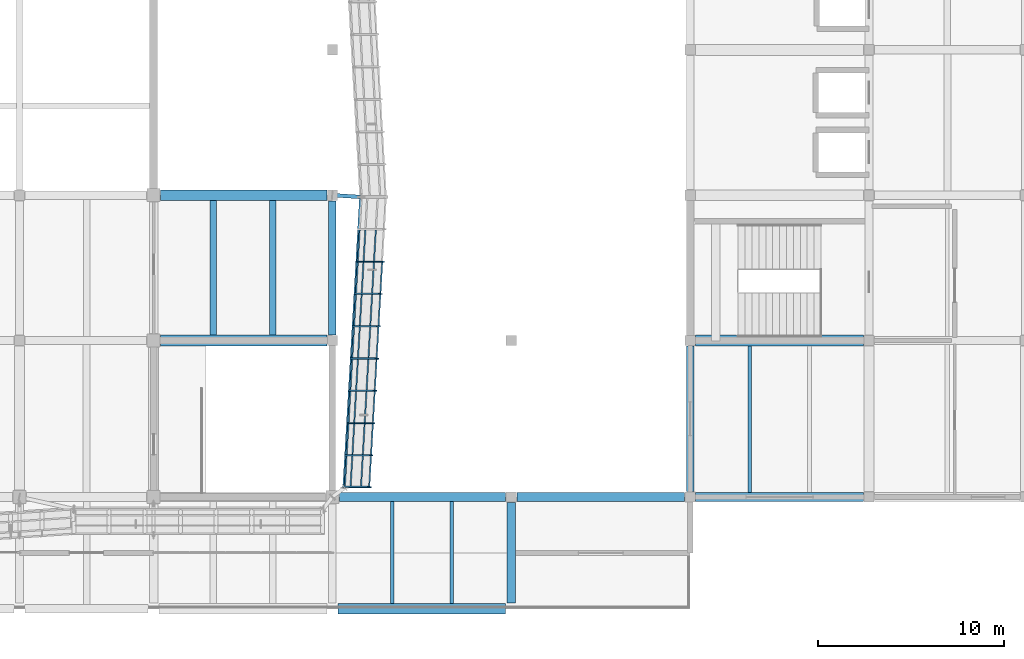
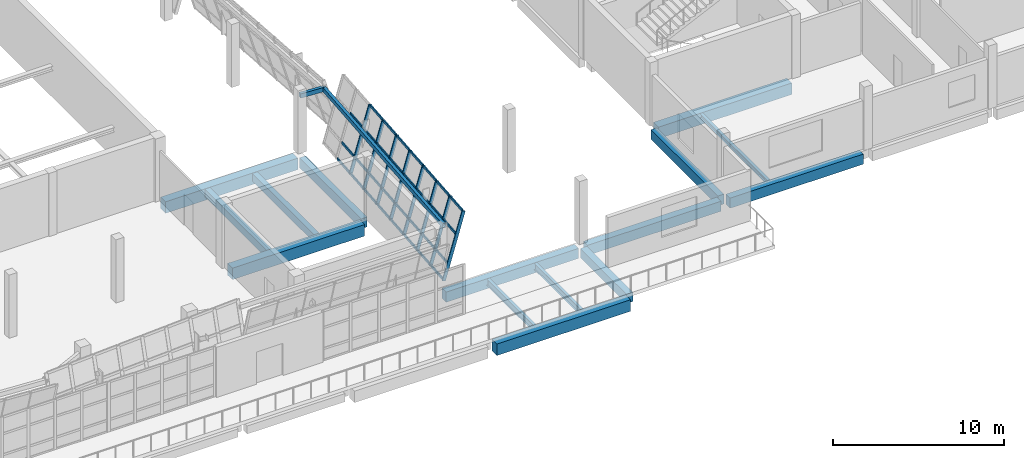
# One storey, part 18 of 67: 39 members, 17 beams, 1 element without a shape of its own.
"""IFC4 building model written with IfcOpenShell, lengths in metres."""

from ifc_helpers import new_model, si_unit, direction, frame, origin, origin_2d, place, context, subcontext, project, spatial, rectangle, hollow_rectangle, i_section, extrude, material, material_profile, profile_set, type_object, element, aggregate, save


model = new_model("IFC4")

# Units and contexts
model_context = context("Model", 3, precision=1e-05, world=origin(), true_north=direction((0.0, 1.0)))
body_context = subcontext(model_context, "Body", "Model", "MODEL_VIEW")
ifc_project = project(units=[si_unit("LENGTHUNIT", "METRE"), si_unit("AREAUNIT", "SQUARE_METRE"), si_unit("VOLUMEUNIT", "CUBIC_METRE"), si_unit("PLANEANGLEUNIT", "RADIAN"), si_unit("MASSUNIT", "GRAM", prefix="KILO")], contexts=[model_context])

# Site, building, storey
site_placement = place(None, origin())
site = spatial("IfcSite", under=ifc_project, at=site_placement, CompositionType="ELEMENT")
building_placement = place(site_placement, origin())
building = spatial("IfcBuilding", under=site, at=building_placement, Name="Pellamere Symphony Hall", CompositionType="ELEMENT")
storey_placement = place(building_placement, frame((0.0, 0.0, 19.5)))
storey = spatial("IfcBuildingStorey", under=building, at=storey_placement, Name="L04", CompositionType="ELEMENT", Elevation=19.5)

# Curtain wall, members
ifc_material_1 = material(Name="Thermally Broken Anodised Aluminium 6063-T6 Curtain Wall", Category="aluminium")
curtain_wall_type = type_object("IfcCurtainWallType", Name="Curtain Wall CW-01 (Tilted Faceted Crystal Low-Iron Curtain Wall)", PredefinedType="NOTDEFINED", material=ifc_material_1)
curtain_wall_placement = place(storey_placement, origin())
curtain_wall = element("IfcCurtainWall", 1, at=curtain_wall_placement, inside=storey, type_object=curtain_wall_type, Name="Crystal Faceted Curtain Wall CW-CR06 (L04)", PredefinedType="NOTDEFINED")
ifc_material_2 = material(Name="Anodised Architectural Aluminium 6063-T6", Category="aluminium")
ifc_material_profile_1 = material_profile(ifc_material_2, hollow_rectangle(XDim=0.074951171875, YDim=0.219970703125, WallThickness=0.0048828125, at=origin_2d()), Name="ALU-M75X220X5")
ifc_profile_set_1 = profile_set([ifc_material_profile_1], Name="Anodised Architectural Aluminium 6063-T6")
member_type_1 = type_object("IfcMemberType", Name="Curtain Wall Mullion ML-01 ALU-M75X220X5", PredefinedType="MULLION", material=ifc_profile_set_1)
member_1_placement = place(storey_placement, frame((119.4521484375, 30.537353515625, 0.0), z_axis=(0.284024567884, 0.0, 0.95881700279), x_axis=(-0.055224537145, -0.998339941676, 0.01635883099)))
member_1 = element("IfcMember", 2, at=member_1_placement, type_object=member_type_1, Name="CW1-008 crystal mullion 1", PredefinedType="MULLION", context=body_context, shape_type="SweptSolid", body=[
    extrude(hollow_rectangle(XDim=0.074951171875, YDim=0.219970703125, WallThickness=0.0048828125, at=origin_2d()), origin(), (0.0, 0.0, 1.0), 4.693359375),
])
member_2_placement = place(storey_placement, frame((119.550048828125, 32.2333984375, 0.0), z_axis=(0.284024567884, 0.0, 0.95881700279), x_axis=(-0.055224537145, -0.998339941676, 0.01635883099)))
member_2 = element("IfcMember", 3, at=member_2_placement, type_object=member_type_1, Name="CW1-008 crystal mullion 2", PredefinedType="MULLION", context=body_context, shape_type="SweptSolid", body=[
    extrude(hollow_rectangle(XDim=0.074951171875, YDim=0.219970703125, WallThickness=0.0048828125, at=origin_2d()), origin(), (0.0, 0.0, 1.0), 4.693359375),
])
member_3_placement = place(storey_placement, frame((119.64990234375, 33.966552734375, 0.0), z_axis=(0.284024567884, 0.0, 0.95881700279), x_axis=(-0.055224537145, -0.998339941676, 0.01635883099)))
member_3 = element("IfcMember", 4, at=member_3_placement, type_object=member_type_1, Name="CW1-008 crystal mullion 3", PredefinedType="MULLION", context=body_context, shape_type="SweptSolid", body=[
    extrude(hollow_rectangle(XDim=0.074951171875, YDim=0.219970703125, WallThickness=0.0048828125, at=origin_2d()), origin(), (0.0, 0.0, 1.0), 4.693359375),
])
member_4_placement = place(storey_placement, frame((119.75, 35.699951171875, 0.0), z_axis=(0.284024567884, 0.0, 0.95881700279), x_axis=(-0.055224537145, -0.998339941676, 0.01635883099)))
member_4 = element("IfcMember", 5, at=member_4_placement, type_object=member_type_1, Name="CW1-008 crystal mullion 4", PredefinedType="MULLION", context=body_context, shape_type="SweptSolid", body=[
    extrude(hollow_rectangle(XDim=0.074951171875, YDim=0.219970703125, WallThickness=0.0048828125, at=origin_2d()), origin(), (0.0, 0.0, 1.0), 4.693359375),
])
member_5_placement = place(storey_placement, frame((119.85009765625, 37.433349609375, 0.0), z_axis=(0.284024567884, 0.0, 0.95881700279), x_axis=(-0.055224537145, -0.998339941676, 0.01635883099)))
member_5 = element("IfcMember", 6, at=member_5_placement, type_object=member_type_1, Name="CW1-008 crystal mullion 5", PredefinedType="MULLION", context=body_context, shape_type="SweptSolid", body=[
    extrude(hollow_rectangle(XDim=0.074951171875, YDim=0.219970703125, WallThickness=0.0048828125, at=origin_2d()), origin(), (0.0, 0.0, 1.0), 4.693359375),
])
member_6_placement = place(storey_placement, frame((119.949951171875, 39.166748046875, 0.0), z_axis=(0.284024567884, 0.0, 0.95881700279), x_axis=(-0.055224537145, -0.998339941676, 0.01635883099)))
member_6 = element("IfcMember", 7, at=member_6_placement, type_object=member_type_1, Name="CW1-008 crystal mullion 6", PredefinedType="MULLION", context=body_context, shape_type="SweptSolid", body=[
    extrude(hollow_rectangle(XDim=0.074951171875, YDim=0.219970703125, WallThickness=0.0048828125, at=origin_2d()), origin(), (0.0, 0.0, 1.0), 4.693359375),
])
member_7_placement = place(storey_placement, frame((120.050048828125, 40.89990234375, 0.0), z_axis=(0.284024567884, 0.0, 0.95881700279), x_axis=(-0.055224537145, -0.998339941676, 0.01635883099)))
member_7 = element("IfcMember", 8, at=member_7_placement, type_object=member_type_1, Name="CW1-008 crystal mullion 7", PredefinedType="MULLION", context=body_context, shape_type="SweptSolid", body=[
    extrude(hollow_rectangle(XDim=0.074951171875, YDim=0.219970703125, WallThickness=0.0048828125, at=origin_2d()), origin(), (0.0, 0.0, 1.0), 4.693359375),
])
member_8_placement = place(storey_placement, frame((120.14990234375, 42.63330078125, 0.0), z_axis=(0.284024567884, 0.0, 0.95881700279), x_axis=(-0.055224537145, -0.998339941676, 0.01635883099)))
member_8 = element("IfcMember", 9, at=member_8_placement, type_object=member_type_1, Name="CW1-008 crystal mullion 8", PredefinedType="MULLION", context=body_context, shape_type="SweptSolid", body=[
    extrude(hollow_rectangle(XDim=0.074951171875, YDim=0.219970703125, WallThickness=0.0048828125, at=origin_2d()), origin(), (0.0, 0.0, 1.0), 4.693359375),
])
ifc_material_profile_2 = material_profile(ifc_material_2, hollow_rectangle(XDim=0.074951171875, YDim=0.179931640625, WallThickness=0.0048828125, at=origin_2d()), Name="ALU-T75X180X5")
ifc_profile_set_2 = profile_set([ifc_material_profile_2], Name="Anodised Architectural Aluminium 6063-T6")
member_type_2 = type_object("IfcMemberType", Name="Curtain Wall Transom TR-01 ALU-T75X180X5", PredefinedType="USERDEFINED", material=ifc_profile_set_2)
member_9_placement = place(storey_placement, frame((119.465087890625, 30.574951171875, 0.035888671875), z_axis=(0.057593652861, 0.998340107954, 0.0), x_axis=(-0.998340107954, 0.057593652861, 0.0)))
member_9 = element("IfcMember", 10, at=member_9_placement, type_object=member_type_2, Name="CW1-008 crystal transom 1.1", ObjectType="TRANSOM", PredefinedType="USERDEFINED", context=body_context, shape_type="SweptSolid", body=[
    extrude(hollow_rectangle(XDim=0.074951171875, YDim=0.179931640625, WallThickness=0.0048828125, at=origin_2d()), origin(), (0.0, 0.0, 1.0), 1.62353515625),
])
member_10_placement = place(storey_placement, frame((119.774169921875, 30.574951171875, 1.080078125), z_axis=(0.057593652861, 0.998340107954, 0.0), x_axis=(-0.998340107954, 0.057593652861, 0.0)))
member_10 = element("IfcMember", 11, at=member_10_placement, type_object=member_type_2, Name="CW1-008 crystal transom 1.2", ObjectType="TRANSOM", PredefinedType="USERDEFINED", context=body_context, shape_type="SweptSolid", body=[
    extrude(hollow_rectangle(XDim=0.074951171875, YDim=0.179931640625, WallThickness=0.0048828125, at=origin_2d()), origin(), (0.0, 0.0, 1.0), 1.62353515625),
])
member_11_placement = place(storey_placement, frame((120.333984375, 30.574951171875, 2.969970703125), z_axis=(0.057743527187, 0.998331450505, 0.0), x_axis=(-0.998331450505, 0.057743527187, 0.0)))
member_11 = element("IfcMember", 12, at=member_11_placement, type_object=member_type_2, Name="CW1-008 crystal transom 1.3", ObjectType="TRANSOM", PredefinedType="USERDEFINED", context=body_context, shape_type="SweptSolid", body=[
    extrude(hollow_rectangle(XDim=0.074951171875, YDim=0.179931640625, WallThickness=0.0048828125, at=origin_2d()), origin(), (0.0, 0.0, 1.0), 1.62353515625),
])
member_12_placement = place(storey_placement, frame((120.776611328125, 30.574951171875, 4.464111328125), z_axis=(0.057593652861, 0.998340107954, 0.0), x_axis=(-0.998340107954, 0.057593652861, 0.0)))
member_12 = element("IfcMember", 13, at=member_12_placement, type_object=member_type_2, Name="CW1-008 crystal transom 1.4", ObjectType="TRANSOM", PredefinedType="USERDEFINED", context=body_context, shape_type="SweptSolid", body=[
    extrude(hollow_rectangle(XDim=0.074951171875, YDim=0.179931640625, WallThickness=0.0048828125, at=origin_2d()), origin(), (0.0, 0.0, 1.0), 1.62353515625),
])
member_13_placement = place(storey_placement, frame((119.562744140625, 32.270751953125, 0.035888671875), z_axis=(0.057610619545, 0.998339129012, 0.0), x_axis=(-0.998339129012, 0.057610619545, 0.0)))
member_13 = element("IfcMember", 14, at=member_13_placement, type_object=member_type_2, Name="CW1-008 crystal transom 2.1", ObjectType="TRANSOM", PredefinedType="USERDEFINED", context=body_context, shape_type="SweptSolid", body=[
    extrude(hollow_rectangle(XDim=0.074951171875, YDim=0.179931640625, WallThickness=0.0048828125, at=origin_2d()), origin(), (0.0, 0.0, 1.0), 1.6611328125),
])
member_14_placement = place(storey_placement, frame((119.8720703125, 32.270751953125, 1.080078125), z_axis=(0.057610619545, 0.998339129012, 0.0), x_axis=(-0.998339129012, 0.057610619545, 0.0)))
member_14 = element("IfcMember", 15, at=member_14_placement, type_object=member_type_2, Name="CW1-008 crystal transom 2.2", ObjectType="TRANSOM", PredefinedType="USERDEFINED", context=body_context, shape_type="SweptSolid", body=[
    extrude(hollow_rectangle(XDim=0.074951171875, YDim=0.179931640625, WallThickness=0.0048828125, at=origin_2d()), origin(), (0.0, 0.0, 1.0), 1.6611328125),
])
member_15_placement = place(storey_placement, frame((120.431884765625, 32.270751953125, 2.969970703125), z_axis=(0.057610619545, 0.998339129012, 0.0), x_axis=(-0.998339129012, 0.057610619545, 0.0)))
member_15 = element("IfcMember", 16, at=member_15_placement, type_object=member_type_2, Name="CW1-008 crystal transom 2.3", ObjectType="TRANSOM", PredefinedType="USERDEFINED", context=body_context, shape_type="SweptSolid", body=[
    extrude(hollow_rectangle(XDim=0.074951171875, YDim=0.179931640625, WallThickness=0.0048828125, at=origin_2d()), origin(), (0.0, 0.0, 1.0), 1.6611328125),
])
member_16_placement = place(storey_placement, frame((120.87451171875, 32.270751953125, 4.464111328125), z_axis=(0.057610619545, 0.998339129012, 0.0), x_axis=(-0.998339129012, 0.057610619545, 0.0)))
member_16 = element("IfcMember", 17, at=member_16_placement, type_object=member_type_2, Name="CW1-008 crystal transom 2.4", ObjectType="TRANSOM", PredefinedType="USERDEFINED", context=body_context, shape_type="SweptSolid", body=[
    extrude(hollow_rectangle(XDim=0.074951171875, YDim=0.179931640625, WallThickness=0.0048828125, at=origin_2d()), origin(), (0.0, 0.0, 1.0), 1.6611328125),
])
member_17_placement = place(storey_placement, frame((119.662841796875, 34.004150390625, 0.035888671875), z_axis=(0.057610619545, 0.998339129012, 0.0), x_axis=(-0.998339129012, 0.057610619545, 0.0)))
member_17 = element("IfcMember", 18, at=member_17_placement, type_object=member_type_2, Name="CW1-008 crystal transom 3.1", ObjectType="TRANSOM", PredefinedType="USERDEFINED", context=body_context, shape_type="SweptSolid", body=[
    extrude(hollow_rectangle(XDim=0.074951171875, YDim=0.179931640625, WallThickness=0.0048828125, at=origin_2d()), origin(), (0.0, 0.0, 1.0), 1.6611328125),
])
member_18_placement = place(storey_placement, frame((119.97216796875, 34.004150390625, 1.080078125), z_axis=(0.057610619545, 0.998339129012, 0.0), x_axis=(-0.998339129012, 0.057610619545, 0.0)))
member_18 = element("IfcMember", 19, at=member_18_placement, type_object=member_type_2, Name="CW1-008 crystal transom 3.2", ObjectType="TRANSOM", PredefinedType="USERDEFINED", context=body_context, shape_type="SweptSolid", body=[
    extrude(hollow_rectangle(XDim=0.074951171875, YDim=0.179931640625, WallThickness=0.0048828125, at=origin_2d()), origin(), (0.0, 0.0, 1.0), 1.6611328125),
])
member_19_placement = place(storey_placement, frame((120.531982421875, 34.004150390625, 2.969970703125), z_axis=(0.057610619545, 0.998339129012, 0.0), x_axis=(-0.998339129012, 0.057610619545, 0.0)))
member_19 = element("IfcMember", 20, at=member_19_placement, type_object=member_type_2, Name="CW1-008 crystal transom 3.3", ObjectType="TRANSOM", PredefinedType="USERDEFINED", context=body_context, shape_type="SweptSolid", body=[
    extrude(hollow_rectangle(XDim=0.074951171875, YDim=0.179931640625, WallThickness=0.0048828125, at=origin_2d()), origin(), (0.0, 0.0, 1.0), 1.6611328125),
])
member_20_placement = place(storey_placement, frame((120.974609375, 34.004150390625, 4.464111328125), z_axis=(0.057464139598, 0.998347571069, 0.0), x_axis=(-0.998347571069, 0.057464139598, 0.0)))
member_20 = element("IfcMember", 21, at=member_20_placement, type_object=member_type_2, Name="CW1-008 crystal transom 3.4", ObjectType="TRANSOM", PredefinedType="USERDEFINED", context=body_context, shape_type="SweptSolid", body=[
    extrude(hollow_rectangle(XDim=0.074951171875, YDim=0.179931640625, WallThickness=0.0048828125, at=origin_2d()), origin(), (0.0, 0.0, 1.0), 1.6611328125),
])
member_21_placement = place(storey_placement, frame((119.7626953125, 35.737548828125, 0.035888671875), z_axis=(0.057610619545, 0.998339129012, 0.0), x_axis=(-0.998339129012, 0.057610619545, 0.0)))
member_21 = element("IfcMember", 22, at=member_21_placement, type_object=member_type_2, Name="CW1-008 crystal transom 4.1", ObjectType="TRANSOM", PredefinedType="USERDEFINED", context=body_context, shape_type="SweptSolid", body=[
    extrude(hollow_rectangle(XDim=0.074951171875, YDim=0.179931640625, WallThickness=0.0048828125, at=origin_2d()), origin(), (0.0, 0.0, 1.0), 1.6611328125),
])
member_22_placement = place(storey_placement, frame((120.072021484375, 35.737548828125, 1.080078125), z_axis=(0.057610619545, 0.998339129012, 0.0), x_axis=(-0.998339129012, 0.057610619545, 0.0)))
member_22 = element("IfcMember", 23, at=member_22_placement, type_object=member_type_2, Name="CW1-008 crystal transom 4.2", ObjectType="TRANSOM", PredefinedType="USERDEFINED", context=body_context, shape_type="SweptSolid", body=[
    extrude(hollow_rectangle(XDim=0.074951171875, YDim=0.179931640625, WallThickness=0.0048828125, at=origin_2d()), origin(), (0.0, 0.0, 1.0), 1.6611328125),
])
member_23_placement = place(storey_placement, frame((120.6318359375, 35.737548828125, 2.969970703125), z_axis=(0.057610619545, 0.998339129012, 0.0), x_axis=(-0.998339129012, 0.057610619545, 0.0)))
member_23 = element("IfcMember", 24, at=member_23_placement, type_object=member_type_2, Name="CW1-008 crystal transom 4.3", ObjectType="TRANSOM", PredefinedType="USERDEFINED", context=body_context, shape_type="SweptSolid", body=[
    extrude(hollow_rectangle(XDim=0.074951171875, YDim=0.179931640625, WallThickness=0.0048828125, at=origin_2d()), origin(), (0.0, 0.0, 1.0), 1.6611328125),
])
member_24_placement = place(storey_placement, frame((121.074462890625, 35.737548828125, 4.464111328125), z_axis=(0.057610619545, 0.998339129012, 0.0), x_axis=(-0.998339129012, 0.057610619545, 0.0)))
member_24 = element("IfcMember", 25, at=member_24_placement, type_object=member_type_2, Name="CW1-008 crystal transom 4.4", ObjectType="TRANSOM", PredefinedType="USERDEFINED", context=body_context, shape_type="SweptSolid", body=[
    extrude(hollow_rectangle(XDim=0.074951171875, YDim=0.179931640625, WallThickness=0.0048828125, at=origin_2d()), origin(), (0.0, 0.0, 1.0), 1.6611328125),
])
member_25_placement = place(storey_placement, frame((119.86279296875, 37.470703125, 0.035888671875), z_axis=(0.057610619545, 0.998339129012, 0.0), x_axis=(-0.998339129012, 0.057610619545, 0.0)))
member_25 = element("IfcMember", 26, at=member_25_placement, type_object=member_type_2, Name="CW1-008 crystal transom 5.1", ObjectType="TRANSOM", PredefinedType="USERDEFINED", context=body_context, shape_type="SweptSolid", body=[
    extrude(hollow_rectangle(XDim=0.074951171875, YDim=0.179931640625, WallThickness=0.0048828125, at=origin_2d()), origin(), (0.0, 0.0, 1.0), 1.6611328125),
])
member_26_placement = place(storey_placement, frame((120.172119140625, 37.470703125, 1.080078125), z_axis=(0.057610619545, 0.998339129012, 0.0), x_axis=(-0.998339129012, 0.057610619545, 0.0)))
member_26 = element("IfcMember", 27, at=member_26_placement, type_object=member_type_2, Name="CW1-008 crystal transom 5.2", ObjectType="TRANSOM", PredefinedType="USERDEFINED", context=body_context, shape_type="SweptSolid", body=[
    extrude(hollow_rectangle(XDim=0.074951171875, YDim=0.179931640625, WallThickness=0.0048828125, at=origin_2d()), origin(), (0.0, 0.0, 1.0), 1.6611328125),
])
member_27_placement = place(storey_placement, frame((120.73193359375, 37.470703125, 2.969970703125), z_axis=(0.057610619545, 0.998339129012, 0.0), x_axis=(-0.998339129012, 0.057610619545, 0.0)))
member_27 = element("IfcMember", 28, at=member_27_placement, type_object=member_type_2, Name="CW1-008 crystal transom 5.3", ObjectType="TRANSOM", PredefinedType="USERDEFINED", context=body_context, shape_type="SweptSolid", body=[
    extrude(hollow_rectangle(XDim=0.074951171875, YDim=0.179931640625, WallThickness=0.0048828125, at=origin_2d()), origin(), (0.0, 0.0, 1.0), 1.6611328125),
])
member_28_placement = place(storey_placement, frame((121.174560546875, 37.470703125, 4.464111328125), z_axis=(0.057610619545, 0.998339129012, 0.0), x_axis=(-0.998339129012, 0.057610619545, 0.0)))
member_28 = element("IfcMember", 29, at=member_28_placement, type_object=member_type_2, Name="CW1-008 crystal transom 5.4", ObjectType="TRANSOM", PredefinedType="USERDEFINED", context=body_context, shape_type="SweptSolid", body=[
    extrude(hollow_rectangle(XDim=0.074951171875, YDim=0.179931640625, WallThickness=0.0048828125, at=origin_2d()), origin(), (0.0, 0.0, 1.0), 1.6611328125),
])
member_29_placement = place(storey_placement, frame((119.962890625, 39.2041015625, 0.035888671875), z_axis=(0.057610619545, 0.998339129012, 0.0), x_axis=(-0.998339129012, 0.057610619545, 0.0)))
member_29 = element("IfcMember", 30, at=member_29_placement, type_object=member_type_2, Name="CW1-008 crystal transom 6.1", ObjectType="TRANSOM", PredefinedType="USERDEFINED", context=body_context, shape_type="SweptSolid", body=[
    extrude(hollow_rectangle(XDim=0.074951171875, YDim=0.179931640625, WallThickness=0.0048828125, at=origin_2d()), origin(), (0.0, 0.0, 1.0), 1.6611328125),
])
member_30_placement = place(storey_placement, frame((120.27197265625, 39.2041015625, 1.080078125), z_axis=(0.057610619545, 0.998339129012, 0.0), x_axis=(-0.998339129012, 0.057610619545, 0.0)))
member_30 = element("IfcMember", 31, at=member_30_placement, type_object=member_type_2, Name="CW1-008 crystal transom 6.2", ObjectType="TRANSOM", PredefinedType="USERDEFINED", context=body_context, shape_type="SweptSolid", body=[
    extrude(hollow_rectangle(XDim=0.074951171875, YDim=0.179931640625, WallThickness=0.0048828125, at=origin_2d()), origin(), (0.0, 0.0, 1.0), 1.6611328125),
])
member_31_placement = place(storey_placement, frame((120.83203125, 39.2041015625, 2.969970703125), z_axis=(0.057610619545, 0.998339129012, 0.0), x_axis=(-0.998339129012, 0.057610619545, 0.0)))
member_31 = element("IfcMember", 32, at=member_31_placement, type_object=member_type_2, Name="CW1-008 crystal transom 6.3", ObjectType="TRANSOM", PredefinedType="USERDEFINED", context=body_context, shape_type="SweptSolid", body=[
    extrude(hollow_rectangle(XDim=0.074951171875, YDim=0.179931640625, WallThickness=0.0048828125, at=origin_2d()), origin(), (0.0, 0.0, 1.0), 1.6611328125),
])
member_32_placement = place(storey_placement, frame((121.2744140625, 39.2041015625, 4.464111328125), z_axis=(0.057610619545, 0.998339129012, 0.0), x_axis=(-0.998339129012, 0.057610619545, 0.0)))
member_32 = element("IfcMember", 33, at=member_32_placement, type_object=member_type_2, Name="CW1-008 crystal transom 6.4", ObjectType="TRANSOM", PredefinedType="USERDEFINED", context=body_context, shape_type="SweptSolid", body=[
    extrude(hollow_rectangle(XDim=0.074951171875, YDim=0.179931640625, WallThickness=0.0048828125, at=origin_2d()), origin(), (0.0, 0.0, 1.0), 1.6611328125),
])
member_33_placement = place(storey_placement, frame((120.062744140625, 40.9375, 0.035888671875), z_axis=(0.057610619545, 0.998339129012, 0.0), x_axis=(-0.998339129012, 0.057610619545, 0.0)))
member_33 = element("IfcMember", 34, at=member_33_placement, type_object=member_type_2, Name="CW1-008 crystal transom 7.1", ObjectType="TRANSOM", PredefinedType="USERDEFINED", context=body_context, shape_type="SweptSolid", body=[
    extrude(hollow_rectangle(XDim=0.074951171875, YDim=0.179931640625, WallThickness=0.0048828125, at=origin_2d()), origin(), (0.0, 0.0, 1.0), 1.6611328125),
])
member_34_placement = place(storey_placement, frame((120.3720703125, 40.9375, 1.080078125), z_axis=(0.057610619545, 0.998339129012, 0.0), x_axis=(-0.998339129012, 0.057610619545, 0.0)))
member_34 = element("IfcMember", 35, at=member_34_placement, type_object=member_type_2, Name="CW1-008 crystal transom 7.2", ObjectType="TRANSOM", PredefinedType="USERDEFINED", context=body_context, shape_type="SweptSolid", body=[
    extrude(hollow_rectangle(XDim=0.074951171875, YDim=0.179931640625, WallThickness=0.0048828125, at=origin_2d()), origin(), (0.0, 0.0, 1.0), 1.6611328125),
])
member_35_placement = place(storey_placement, frame((120.931884765625, 40.9375, 2.969970703125), z_axis=(0.057610619545, 0.998339129012, 0.0), x_axis=(-0.998339129012, 0.057610619545, 0.0)))
member_35 = element("IfcMember", 36, at=member_35_placement, type_object=member_type_2, Name="CW1-008 crystal transom 7.3", ObjectType="TRANSOM", PredefinedType="USERDEFINED", context=body_context, shape_type="SweptSolid", body=[
    extrude(hollow_rectangle(XDim=0.074951171875, YDim=0.179931640625, WallThickness=0.0048828125, at=origin_2d()), origin(), (0.0, 0.0, 1.0), 1.6611328125),
])
member_36_placement = place(storey_placement, frame((121.37451171875, 40.9375, 4.464111328125), z_axis=(0.057610619545, 0.998339129012, 0.0), x_axis=(-0.998339129012, 0.057610619545, 0.0)))
member_36 = element("IfcMember", 37, at=member_36_placement, type_object=member_type_2, Name="CW1-008 crystal transom 7.4", ObjectType="TRANSOM", PredefinedType="USERDEFINED", context=body_context, shape_type="SweptSolid", body=[
    extrude(hollow_rectangle(XDim=0.074951171875, YDim=0.179931640625, WallThickness=0.0048828125, at=origin_2d()), origin(), (0.0, 0.0, 1.0), 1.6611328125),
])
member_37_placement = place(storey_placement, frame((120.162841796875, 42.670654296875, 0.035888671875), z_axis=(0.057602168051, 0.998339616682, 0.0), x_axis=(-0.998339616682, 0.057602168051, 0.0)))
member_37 = element("IfcMember", 38, at=member_37_placement, type_object=member_type_2, Name="CW1-008 crystal transom 8.1", ObjectType="TRANSOM", PredefinedType="USERDEFINED", context=body_context, shape_type="SweptSolid", body=[
    extrude(hollow_rectangle(XDim=0.074951171875, YDim=0.179931640625, WallThickness=0.0048828125, at=origin_2d()), origin(), (0.0, 0.0, 1.0), 1.661376953125),
])
member_38_placement = place(storey_placement, frame((120.47216796875, 42.670654296875, 1.080078125), z_axis=(0.057602168051, 0.998339616682, 0.0), x_axis=(-0.998339616682, 0.057602168051, 0.0)))
member_38 = element("IfcMember", 39, at=member_38_placement, type_object=member_type_2, Name="CW1-008 crystal transom 8.2", ObjectType="TRANSOM", PredefinedType="USERDEFINED", context=body_context, shape_type="SweptSolid", body=[
    extrude(hollow_rectangle(XDim=0.074951171875, YDim=0.179931640625, WallThickness=0.0048828125, at=origin_2d()), origin(), (0.0, 0.0, 1.0), 1.661376953125),
])
member_39_placement = place(storey_placement, frame((121.031982421875, 42.670654296875, 2.969970703125), z_axis=(0.057602168051, 0.998339616682, 0.0), x_axis=(-0.998339616682, 0.057602168051, 0.0)))
member_39 = element("IfcMember", 40, at=member_39_placement, type_object=member_type_2, Name="CW1-008 crystal transom 8.3", ObjectType="TRANSOM", PredefinedType="USERDEFINED", context=body_context, shape_type="SweptSolid", body=[
    extrude(hollow_rectangle(XDim=0.074951171875, YDim=0.179931640625, WallThickness=0.0048828125, at=origin_2d()), origin(), (0.0, 0.0, 1.0), 1.661376953125),
])
aggregate(curtain_wall, [member_1, member_2, member_3, member_4, member_5, member_6, member_7, member_8, member_9, member_10, member_11, member_12, member_13, member_14, member_15, member_16, member_17, member_18, member_19, member_20, member_21, member_22, member_23, member_24, member_25, member_26, member_27, member_28, member_29, member_30, member_31, member_32, member_33, member_34, member_35, member_36, member_37, member_38, member_39])

# Beams
ifc_material_3 = material(Name="Concrete 40 MPa", Category="concrete")
ifc_material_profile_3 = material_profile(ifc_material_3, rectangle(XDim=0.449951171875, YDim=0.64990234375, at=origin_2d()), Name="RC 450x650")
ifc_profile_set_3 = profile_set([ifc_material_profile_3], Name="Concrete 40 MPa")
beam_type_1 = type_object("IfcBeamType", Name="RC CB-08 450x650", PredefinedType="BEAM", material=ifc_profile_set_3)
beam_1_placement = place(storey_placement, frame((128.39990234375, 24.300048828125, -0.5849609375), z_axis=(0.0, 1.0, 0.0), x_axis=(-1.0, 0.0, 0.0)))
element("IfcBeam", 41, at=beam_1_placement, inside=storey, type_object=beam_type_1, Name="Girder CB-08-Y1909 (L04)", PredefinedType="BEAM", context=body_context, shape_type="SweptSolid", body=[
    extrude(rectangle(XDim=0.449951171875, YDim=0.64990234375, at=origin_2d()), origin(), (0.0, 0.0, 1.0), 5.39990234375),
])
ifc_material_4 = material(Name="Concrete 35 MPa", Category="concrete")
ifc_material_profile_4 = material_profile(ifc_material_4, rectangle(XDim=0.35009765625, YDim=0.550048828125, at=origin_2d()), Name="RC 350x550")
ifc_profile_set_4 = profile_set([ifc_material_profile_4], Name="Concrete 35 MPa")
beam_type_2 = type_object("IfcBeamType", Name="RC CB-10 350x550", PredefinedType="BEAM", material=ifc_profile_set_4)
for number, where, z_axis, x_axis, name in (
    (42, (112.39990234375, 38.68994140625, -0.550048828125), (0.0, 1.0, 0.0), (-1.0, 0.0, 0.0), "Secondary Floor Beam CB-10-A1405 (L04)"),
    (43, (115.60009765625, 38.68994140625, -0.550048828125), (0.0, 1.0, 0.0), (-1.0, 0.0, 0.0), "Secondary Floor Beam CB-10-B1405 (L04)"),
):
    element("IfcBeam", number, at=place(storey_placement, frame(where, z_axis=z_axis, x_axis=x_axis)), inside=storey, type_object=beam_type_2, Name=name, PredefinedType="BEAM", context=body_context, shape_type="SweptSolid", body=[
        extrude(rectangle(XDim=0.35009765625, YDim=0.550048828125, at=origin_2d()), origin(), (0.0, 0.0, 1.0), 7.219970703125),
    ])
ifc_material_profile_5 = material_profile(ifc_material_3, rectangle(XDim=0.39990234375, YDim=0.699951171875, at=origin_2d()), Name="RC 400x700")
ifc_profile_set_5 = profile_set([ifc_material_profile_5], Name="Concrete 40 MPa")
beam_type_3 = type_object("IfcBeamType", Name="RC CB-13 400x700", PredefinedType="SPANDREL", material=ifc_profile_set_5)
beam_2_placement = place(storey_placement, frame((118.800048828125, 38.699951171875, -0.610107421875), z_axis=(0.0, 1.0, 0.0), x_axis=(-1.0, 0.0, 0.0)))
element("IfcBeam", 44, at=beam_2_placement, inside=storey, type_object=beam_type_3, Name="Girder CB-13-Y1908 (L04)", PredefinedType="SPANDREL", context=body_context, shape_type="SweptSolid", body=[
    extrude(rectangle(XDim=0.39990234375, YDim=0.699951171875, at=origin_2d()), origin(), (0.0, 0.0, 1.0), 7.199951171875),
])
beam_3_placement = place(storey_placement, frame((138.0, 30.300048828125, -0.610107421875), z_axis=(0.0, 1.0, 0.0), x_axis=(-1.0, 0.0, 0.0)))
element("IfcBeam", 45, at=beam_3_placement, inside=storey, type_object=beam_type_3, Name="Girder CB-13-Y1910 (L04)", PredefinedType="SPANDREL", context=body_context, shape_type="SweptSolid", body=[
    extrude(rectangle(XDim=0.39990234375, YDim=0.699951171875, at=origin_2d()), origin(), (0.0, 0.0, 1.0), 7.800048828125),
])
ifc_material_profile_6 = material_profile(ifc_material_3, rectangle(XDim=0.47998046875, YDim=0.719970703125, at=origin_2d()), Name="RC 480x720")
ifc_profile_set_6 = profile_set([ifc_material_profile_6], Name="Concrete 40 MPa")
beam_type_4 = type_object("IfcBeamType", Name="RC CB-14 480x720", PredefinedType="SPANDREL", material=ifc_profile_set_6)
beam_4_placement = place(storey_placement, frame((119.175048828125, 30.0, -0.6201171875), z_axis=(1.0, 0.0, 0.0), x_axis=(0.0, 1.0, 0.0)))
element("IfcBeam", 46, at=beam_4_placement, inside=storey, type_object=beam_type_4, Name="Girder CB-14-X1812 (L04)", PredefinedType="SPANDREL", context=body_context, shape_type="SweptSolid", body=[
    extrude(rectangle(XDim=0.47998046875, YDim=0.719970703125, at=origin_2d()), origin(), (0.0, 0.0, 1.0), 8.925048828125),
])
for number, where, z_axis, x_axis, name in (
    (47, (128.699951171875, 30.0, -0.6201171875), (1.0, 0.0, 0.0), (0.0, 1.0, 0.0), "Girder CB-14-X1813 (L04)"),
    (48, (138.300048828125, 30.0, -0.6201171875), (1.0, 0.0, 0.0), (0.0, 1.0, 0.0), "Girder CB-14-X1814 (L04)"),
):
    element("IfcBeam", number, at=place(storey_placement, frame(where, z_axis=z_axis, x_axis=x_axis)), inside=storey, type_object=beam_type_4, Name=name, PredefinedType="SPANDREL", context=body_context, shape_type="SweptSolid", body=[
        extrude(rectangle(XDim=0.47998046875, YDim=0.719970703125, at=origin_2d()), origin(), (0.0, 0.0, 1.0), 9.0),
    ])
ifc_material_profile_7 = material_profile(ifc_material_3, rectangle(XDim=0.580078125, YDim=0.820068359375, at=origin_2d()), Name="RC 580x820")
ifc_profile_set_7 = profile_set([ifc_material_profile_7], Name="Concrete 40 MPa")
beam_type_5 = type_object("IfcBeamType", Name="RC CB-15 580x820", PredefinedType="BEAM", material=ifc_profile_set_7)
beam_5_placement = place(storey_placement, frame((119.10009765625, 24.0, -0.669921875), z_axis=(1.0, 0.0, 0.0), x_axis=(0.0, 1.0, 0.0)))
element("IfcBeam", 49, at=beam_5_placement, inside=storey, type_object=beam_type_5, Name="Girder CB-15-X1802 (L04)", PredefinedType="BEAM", context=body_context, shape_type="SweptSolid", body=[
    extrude(rectangle(XDim=0.580078125, YDim=0.820068359375, at=origin_2d()), origin(), (0.0, 0.0, 1.0), 9.0),
])
beam_6_placement = place(storey_placement, frame((109.574951171875, 38.39990234375, -0.669921875), z_axis=(1.0, 0.0, 0.0), x_axis=(0.0, 1.0, 0.0)))
element("IfcBeam", 50, at=beam_6_placement, inside=storey, type_object=beam_type_5, Name="Girder CB-15-X1826 (L04)", PredefinedType="BEAM", context=body_context, shape_type="SweptSolid", body=[
    extrude(rectangle(XDim=0.580078125, YDim=0.820068359375, at=origin_2d()), origin(), (0.0, 0.0, 1.0), 8.925048828125),
])
beam_7_placement = place(storey_placement, frame((138.300048828125, 38.39990234375, -0.669921875), z_axis=(1.0, 0.0, 0.0), x_axis=(0.0, 1.0, 0.0)))
element("IfcBeam", 51, at=beam_7_placement, inside=storey, type_object=beam_type_5, Name="Girder CB-15-X1827 (L04)", PredefinedType="BEAM", context=body_context, shape_type="SweptSolid", body=[
    extrude(rectangle(XDim=0.580078125, YDim=0.820068359375, at=origin_2d()), origin(), (0.0, 0.0, 1.0), 9.0),
])
beam_8_placement = place(storey_placement, frame((109.574951171875, 46.199951171875, -0.669921875), z_axis=(1.0, 0.0, 0.0), x_axis=(0.0, 1.0, 0.0)))
element("IfcBeam", 52, at=beam_8_placement, inside=storey, type_object=beam_type_5, Name="Girder CB-15-X1839 (L04)", PredefinedType="BEAM", context=body_context, shape_type="SweptSolid", body=[
    extrude(rectangle(XDim=0.580078125, YDim=0.820068359375, at=origin_2d()), origin(), (0.0, 0.0, 1.0), 8.925048828125),
])
ifc_material_5 = material(Name="Steel CSA G40.21 350W", Category="steel")
ifc_material_profile_8 = material_profile(ifc_material_5, i_section(OverallWidth=0.19091796875, OverallDepth=0.4599609375, WebThickness=0.010009765625, FlangeThickness=0.014404296875, at=origin_2d()), Name="W460X82")
ifc_profile_set_8 = profile_set([ifc_material_profile_8], Name="Steel CSA G40.21 350W")
beam_type_6 = type_object("IfcBeamType", Name="Steel Joist SB-17 W460X82", PredefinedType="JOIST", material=ifc_profile_set_8)
for number, where, z_axis, x_axis, name in (
    (53, (122.0, 24.2900390625, -0.5048828125), (0.0, 1.0, 0.0), (-1.0, 0.0, 0.0), "Secondary Floor Beam SB-17-A1503 (L04)"),
    (54, (125.199951171875, 24.2900390625, -0.5048828125), (0.0, 1.0, 0.0), (-1.0, 0.0, 0.0), "Secondary Floor Beam SB-17-B1503 (L04)"),
):
    element("IfcBeam", number, at=place(storey_placement, frame(where, z_axis=z_axis, x_axis=x_axis)), inside=storey, type_object=beam_type_6, Name=name, PredefinedType="JOIST", context=body_context, shape_type="SweptSolid", body=[
        extrude(i_section(OverallWidth=0.19091796875, OverallDepth=0.4599609375, WebThickness=0.010009765625, FlangeThickness=0.014404296875, at=origin_2d()), origin(), (0.0, 0.0, 1.0), 5.469970703125),
    ])
ifc_material_profile_9 = material_profile(ifc_material_5, i_section(OverallWidth=0.202880859375, OverallDepth=0.302978515625, WebThickness=0.007568359375, FlangeThickness=0.01318359375, at=origin_2d()), Name="W310X60")
ifc_profile_set_9 = profile_set([ifc_material_profile_9], Name="Steel CSA G40.21 350W")
beam_type_7 = type_object("IfcBeamType", Name="Steel Joist SB-23 W310X60", PredefinedType="JOIST", material=ifc_profile_set_9)
beam_9_placement = place(storey_placement, frame((141.199951171875, 30.239990234375, -0.426513671875), z_axis=(0.0, 1.0, 0.0), x_axis=(-1.0, 0.0, 0.0)))
element("IfcBeam", 55, at=beam_9_placement, inside=storey, type_object=beam_type_7, Name="Secondary Floor Beam SB-23-A1704 (L04)", PredefinedType="JOIST", context=body_context, shape_type="SweptSolid", body=[
    extrude(i_section(OverallWidth=0.202880859375, OverallDepth=0.302978515625, WebThickness=0.007568359375, FlangeThickness=0.01318359375, at=origin_2d()), origin(), (0.0, 0.0, 1.0), 7.8701171875),
])
ifc_material_profile_10 = material_profile(ifc_material_5, hollow_rectangle(XDim=0.203125, YDim=0.3046875, WallThickness=0.0126953125, at=origin_2d()), Name="HSS305X203X13")
ifc_profile_set_10 = profile_set([ifc_material_profile_10], Name="Steel CSA G40.21 350W")
beam_type_8 = type_object("IfcBeamType", Name="Steel Spandrel SB-26 HSS305X203X13", PredefinedType="SPANDREL", material=ifc_profile_set_10)
beam_10_placement = place(storey_placement, frame((119.449951171875, 30.5, 3.93994140625), z_axis=(0.057605519012, 0.998339423332, 0.0), x_axis=(-0.998339423332, 0.057605519012, 0.0)))
element("IfcBeam", 56, at=beam_10_placement, inside=storey, type_object=beam_type_8, Name="Crystal Perimeter Ring Beam CW-CR06 (L04)", PredefinedType="SPANDREL", context=body_context, shape_type="SweptSolid", body=[
    extrude(hollow_rectangle(XDim=0.203125, YDim=0.3046875, WallThickness=0.0126953125, at=origin_2d()), origin(), (0.0, 0.0, 1.0), 15.6259765625),
])
beam_11_placement = place(storey_placement, frame((118.800048828125, 46.199951171875, 3.93994140625), z_axis=(0.997931493802, -0.064286341308, 0.0), x_axis=(0.064286341308, 0.997931493802, 0.0)))
element("IfcBeam", 57, at=beam_11_placement, inside=storey, type_object=beam_type_8, Name="Crystal Ring Outrigger Bracket 019 (L04)", PredefinedType="SPANDREL", context=body_context, shape_type="SweptSolid", body=[
    extrude(hollow_rectangle(XDim=0.203125, YDim=0.3046875, WallThickness=0.0126953125, at=origin_2d()), origin(), (0.0, 0.0, 1.0), 1.55322265625),
])

save(model, "model.ifc")
